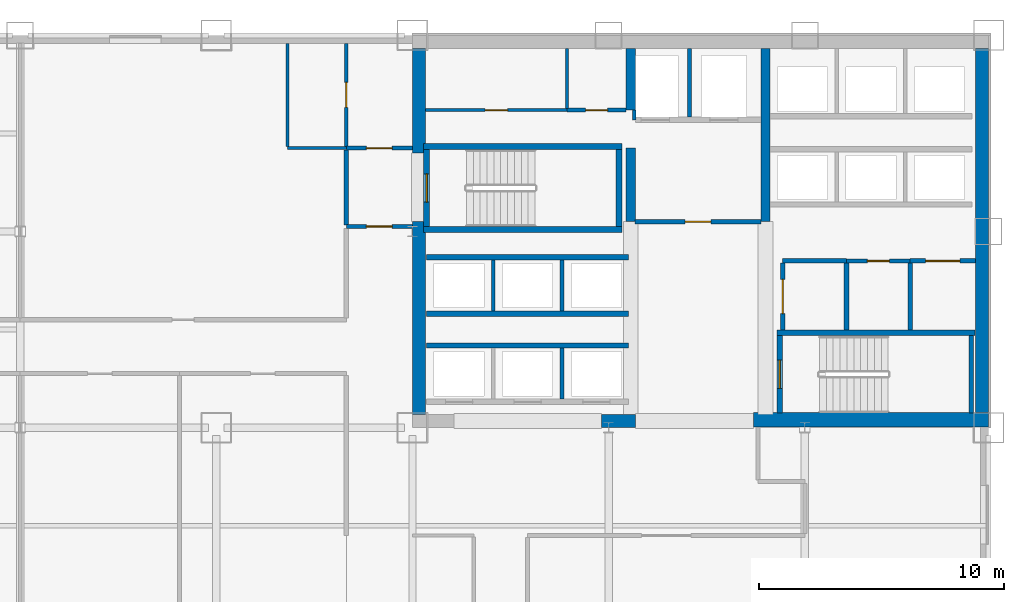
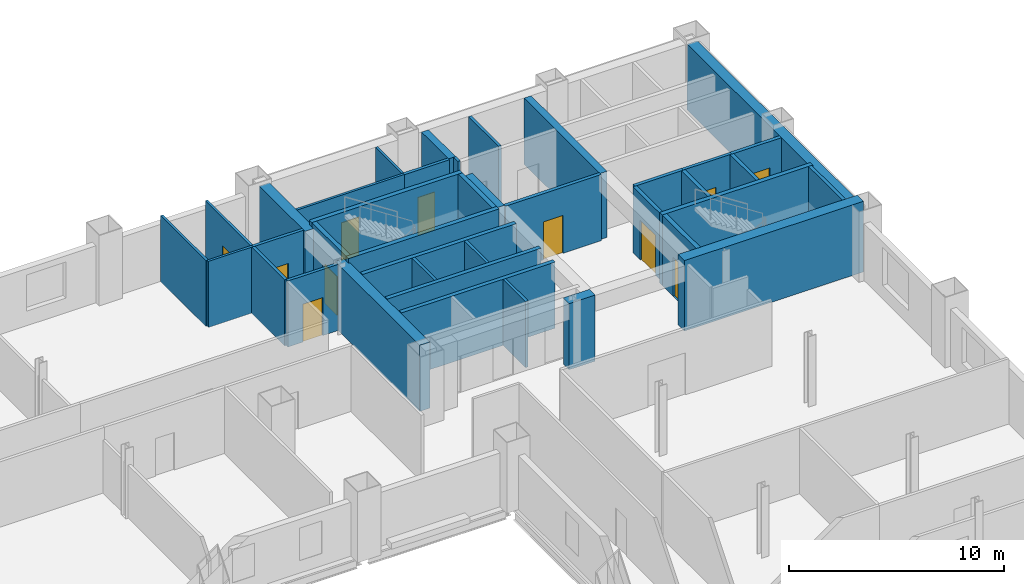
# One storey, part 6 of 9: 39 walls, 11 doors, 11 openings.
"""IFC4 building model written with IfcOpenShell, lengths in metres."""

import ifcopenshell
import ifcopenshell.guid

model = None  # the IFC model being written
_history = None  # IfcOwnerHistory: only IFC2X3 demands one
_inside = {}  # id of a spatial element -> (the spatial element, [elements in it])
_under = {}  # id of a project, library or spatial element -> (it, [spatial elements below it])
_declared = {}  # id of a project -> (the project, [libraries it declares])
_typed = {}  # id of a type object -> (the type object, [elements of that type])
_made_of = {}  # id of a material, layer set ... -> (it, [elements and type objects made of it])


def new_model(schema):
    """Start an empty IFC model of exactly this schema.

    Asked for "IFC4X3", IfcOpenShell would pick the latest addendum, in which some entities
    have other attributes; the version numbers below select the first issue.
    IFC2X3 requires an IfcOwnerHistory on every rooted entity: one is made here for all.
    """
    global model, _history
    if schema == "IFC4X3":
        model = ifcopenshell.file(schema_version=(4, 3, 0, 0))
    else:
        model = ifcopenshell.file(schema=schema)
    _inside.clear()
    _under.clear()
    _declared.clear()
    _typed.clear()
    _made_of.clear()
    _history = None
    if model.schema == "IFC2X3":
        org = make("IfcOrganization", Name="unknown")
        user = make(
            "IfcPersonAndOrganization",
            ThePerson=make("IfcPerson", FamilyName="unknown"),
            TheOrganization=org,
        )
        app = make(
            "IfcApplication",
            ApplicationDeveloper=org,
            Version="unknown",
            ApplicationFullName="unknown",
            ApplicationIdentifier="unknown",
        )
        _history = make(
            "IfcOwnerHistory",
            OwningUser=user,
            OwningApplication=app,
            ChangeAction="ADDED",
            CreationDate=0,
        )
    return model


def make(cls, **values):
    """One entity of the class cls with the attributes given. An attribute that is None is left unset."""
    return model.create_entity(
        cls, **{name: value for name, value in values.items() if value is not None}
    )


def rooted(cls, **values):
    """An entity with a GlobalId (a new one), such as an element, a storey or a relation."""
    return make(cls, GlobalId=ifcopenshell.guid.new(), OwnerHistory=_history, **values)


def si_unit(unit_type, name, prefix=None):
    """IfcSIUnit, for example si_unit("LENGTHUNIT", "METRE", prefix="MILLI")."""
    return make("IfcSIUnit", UnitType=unit_type, Prefix=prefix, Name=name)


def assignment(units):
    """IfcUnitAssignment: the units of a project."""
    return None if units is None else make("IfcUnitAssignment", Units=units)


def point(xyz):
    """IfcCartesianPoint."""
    return None if xyz is None else make("IfcCartesianPoint", Coordinates=xyz)


def direction(xyz):
    """IfcDirection."""
    return None if xyz is None else make("IfcDirection", DirectionRatios=xyz)


def frame(location, z_axis=None, x_axis=None):
    """IfcAxis2Placement3D, a coordinate frame: its origin and axes. An axis left out is left unset."""
    return make(
        "IfcAxis2Placement3D",
        Location=point(location),
        Axis=direction(z_axis),
        RefDirection=direction(x_axis),
    )


def frame_2d(location, x_axis=None):
    """IfcAxis2Placement2D, a coordinate frame in the plane: its origin and x axis."""
    return make(
        "IfcAxis2Placement2D", Location=point(location), RefDirection=direction(x_axis)
    )


def origin():
    """The frame at (0, 0, 0) with its axes left unset."""
    return frame((0.0, 0.0, 0.0))


def place(relative_to, where):
    """IfcLocalPlacement: puts the frame where relative to a parent placement (None: the world)."""
    return make(
        "IfcLocalPlacement", PlacementRelTo=relative_to, RelativePlacement=where
    )


def context(
    kind, dimensions, precision=None, world=None, true_north=None, identifier=None
):
    """IfcGeometricRepresentationContext, for example the 3D "Model" context."""
    return make(
        "IfcGeometricRepresentationContext",
        ContextIdentifier=identifier,
        ContextType=kind,
        CoordinateSpaceDimension=dimensions,
        Precision=precision,
        WorldCoordinateSystem=world,
        TrueNorth=true_north,
    )


def subcontext(parent, identifier, kind, view, scale=None):
    """IfcGeometricRepresentationSubContext, for example "Body" below "Model"."""
    return make(
        "IfcGeometricRepresentationSubContext",
        ContextIdentifier=identifier,
        ContextType=kind,
        ParentContext=parent,
        TargetScale=scale,
        TargetView=view,
    )


def project(units=None, contexts=None):
    """IfcProject with its units and contexts."""
    return rooted(
        "IfcProject",
        Name="project",
        RepresentationContexts=contexts,
        UnitsInContext=assignment(units),
    )


def spatial(cls, under=None, at=None, **own):
    """A site, building, storey or space (cls), placed at a placement, below another one or the project."""
    s = rooted(cls, ObjectPlacement=at, **own)
    if under is not None:
        _under.setdefault(under.id(), (under, []))[1].append(s)
    return s


def profile(cls, at=None, kind="AREA", **sizes):
    """A parametric profile (cls). Its sizes go by their IFC names, for example OverallWidth=200.0."""
    return make(cls, ProfileType=kind, Position=at, **sizes)


def rectangle(**sizes):
    """IfcRectangleProfileDef."""
    return profile("IfcRectangleProfileDef", **sizes)


def extrude(swept, where, along, depth):
    """IfcExtrudedAreaSolid: the profile swept, set in the frame where, extruded along a direction by depth."""
    return make(
        "IfcExtrudedAreaSolid",
        SweptArea=swept,
        Position=where,
        ExtrudedDirection=direction(along),
        Depth=depth,
    )


def shape(context_of_items, identifier, shape_type, items):
    """IfcShapeRepresentation: the items that make up one representation, for example the "Body"."""
    return make(
        "IfcShapeRepresentation",
        ContextOfItems=context_of_items,
        RepresentationIdentifier=identifier,
        RepresentationType=shape_type,
        Items=items,
    )


def material(Name=None, Category=None):
    """IfcMaterial."""
    return make("IfcMaterial", Name=Name, Category=Category)


def layer(
    of_material, thickness, ventilated=None, Name=None, Category=None, Priority=None
):
    """IfcMaterialLayer: one layer of a wall or slab, of a material (None: an air gap)."""
    return make(
        "IfcMaterialLayer",
        Material=of_material,
        LayerThickness=thickness,
        IsVentilated=ventilated,
        Name=Name,
        Category=Category,
        Priority=Priority,
    )


def layer_set(layers, Name=None):
    """IfcMaterialLayerSet."""
    return make("IfcMaterialLayerSet", MaterialLayers=layers, LayerSetName=Name)


def made_of(thing, what):
    """Note that an element or type object is made of a material, layer set ...; save() writes the relation."""
    if what is not None:
        _made_of.setdefault(what.id(), (what, []))[1].append(thing)
    return thing


def type_object(cls, material=None, **own):
    """A type object (cls), such as IfcWallType, which elements share."""
    return made_of(rooted(cls, **own), material)


def element(
    cls,
    number,
    at=None,
    inside=None,
    cuts=None,
    type_object=None,
    material=None,
    context=None,
    identifier="Body",
    shape_type=None,
    held_by="IfcProductDefinitionShape",
    body=None,
    shapes=None,
    **own,
):
    """One element of the class cls, such as IfcWall. Its Tag is "e" and its number.

    at: its placement. inside: the storey or other place that contains it. cuts: it is an
    opening in that element (IfcRelVoidsElement). A single representation is given by context,
    identifier, shape_type and body (its items); several are given by shapes. held_by: the class
    of the entity that holds the representations. save() writes the other relations.
    """
    e = rooted(cls, Tag="e%d" % number, ObjectPlacement=at, **own)
    if body is not None:
        shapes = [shape(context, identifier, shape_type, body)]
    if shapes is not None:
        e.Representation = make(held_by, Representations=shapes)
    if inside is not None:
        _inside.setdefault(inside.id(), (inside, []))[1].append(e)
    if cuts is not None:
        rooted(
            "IfcRelVoidsElement", RelatingBuildingElement=cuts, RelatedOpeningElement=e
        )
    if type_object is not None:
        _typed.setdefault(type_object.id(), (type_object, []))[1].append(e)
    return made_of(e, material)


def fill(opening, filler):
    """IfcRelFillsElement: the door or window that sits in an opening."""
    return rooted(
        "IfcRelFillsElement",
        RelatingOpeningElement=opening,
        RelatedBuildingElement=filler,
    )


def aggregate(whole, parts):
    """IfcRelAggregates: a whole, such as a stair, and the parts it consists of."""
    return rooted("IfcRelAggregates", RelatingObject=whole, RelatedObjects=parts)


def save(model, path):
    """Write the relations noted so far, then the file.

    IfcRelAggregates (storeys below a building ...), IfcRelContainedInSpatialStructure (elements
    in a storey), IfcRelDefinesByType, IfcRelAssociatesMaterial and IfcRelDeclares: one each for
    every whole, place, type object, material and project.
    """
    for whole, parts in _under.values():
        aggregate(whole, parts)
    for where, things in _inside.values():
        rooted(
            "IfcRelContainedInSpatialStructure",
            RelatedElements=things,
            RelatingStructure=where,
        )
    for kind, things in _typed.values():
        rooted("IfcRelDefinesByType", RelatedObjects=things, RelatingType=kind)
    for what, things in _made_of.values():
        rooted("IfcRelAssociatesMaterial", RelatedObjects=things, RelatingMaterial=what)
    for by, libraries in _declared.values():
        rooted("IfcRelDeclares", RelatingContext=by, RelatedDefinitions=libraries)
    model.write(path)


model = new_model("IFC4")

# Units and contexts
model_context = context("Model", 3, precision=1e-05, world=origin(), true_north=direction((0.0, 1.0)))
body_context = subcontext(model_context, "Body", "Model", "MODEL_VIEW")
ifc_project = project(units=[si_unit("LENGTHUNIT", "METRE"), si_unit("AREAUNIT", "SQUARE_METRE"), si_unit("VOLUMEUNIT", "CUBIC_METRE"), si_unit("PLANEANGLEUNIT", "RADIAN"), si_unit("MASSUNIT", "GRAM", prefix="KILO")], contexts=[model_context])

# Site, building, storey
site_placement = place(None, origin())
site = spatial("IfcSite", under=ifc_project, at=site_placement, CompositionType="ELEMENT")
building_placement = place(site_placement, origin())
building = spatial("IfcBuilding", under=site, at=building_placement, Name="Qianrong Seaharbour Tower", CompositionType="ELEMENT")
storey_placement = place(building_placement, frame((0.0, 0.0, 60.199951171875)))
storey = spatial("IfcBuildingStorey", under=building, at=storey_placement, Name="L14", CompositionType="ELEMENT", Elevation=60.199951171875)

# Walls
ifc_material_1 = material(Name="Concrete C70/85", Category="concrete")
ifc_layer_1 = layer(ifc_material_1, 0.5400390625)
ifc_layer_set_1 = layer_set([ifc_layer_1], Name="Concrete C70/85")
wall_type_1 = type_object("IfcWallType", Name="WALL-CORE-540", PredefinedType="SHEAR", material=ifc_layer_set_1)
wall_1_placement = place(storey_placement, frame((63.72998046875, 36.320068359375, 0.0), z_axis=(0.0, 0.0, 1.0), x_axis=(0.0, 1.0, 0.0)))
element("IfcWall", 1, at=wall_1_placement, inside=storey, type_object=wall_type_1, Name="L14 East Core Shear Wall", PredefinedType="SHEAR", context=body_context, shape_type="SweptSolid", body=[
    extrude(rectangle(XDim=15.139892578125, YDim=0.5400390625, at=frame_2d((7.56982421875, 0.0))), origin(), (0.0, 0.0, 1.0), 3.75),
])
wall_2_placement = place(storey_placement, frame((40.77001953125, 36.5400390625, 0.0), z_axis=(0.0, 0.0, 1.0), x_axis=(0.0, 1.0, 0.0)))
element("IfcWall", 2, at=wall_2_placement, inside=storey, type_object=wall_type_1, Name="L14 West Core Shear Wall South", PredefinedType="SHEAR", context=body_context, shape_type="SweptSolid", body=[
    extrude(rectangle(XDim=7.85986328125, YDim=0.5400390625, at=frame_2d((3.929931640625, 0.0))), origin(), (0.0, 0.0, 1.0), 3.75),
])
wall_3_placement = place(storey_placement, frame((40.77001953125, 47.199951171875, 0.0), z_axis=(0.0, 0.0, 1.0), x_axis=(0.0, 1.0, 0.0)))
element("IfcWall", 3, at=wall_3_placement, inside=storey, type_object=wall_type_1, Name="L14 West Core Shear Wall North", PredefinedType="SHEAR", context=body_context, shape_type="SweptSolid", body=[
    extrude(rectangle(XDim=4.260009765625, YDim=0.5400390625, at=frame_2d((2.1298828125, 0.0))), origin(), (0.0, 0.0, 1.0), 3.75),
])
wall_4_placement = place(storey_placement, frame((48.199951171875, 36.27001953125, 0.0), z_axis=(0.0, 0.0, 1.0), x_axis=(1.0, 0.0, 0.0)))
element("IfcWall", 4, at=wall_4_placement, inside=storey, type_object=wall_type_1, Name="L14 South Core Shear Wall S2", PredefinedType="SHEAR", context=body_context, shape_type="SweptSolid", body=[
    extrude(rectangle(XDim=1.400146484375, YDim=0.5400390625, at=frame_2d((0.7001953125, 0.0))), origin(), (0.0, 0.0, 1.0), 3.75),
])
ifc_layer_2 = layer(ifc_material_1, 0.580078125)
ifc_layer_set_2 = layer_set([ifc_layer_2], Name="Concrete C70/85")
wall_type_2 = type_object("IfcWallType", Name="WALL-CORE-580", PredefinedType="SHEAR", material=ifc_layer_set_2)
wall_5_placement = place(storey_placement, frame((54.39990234375, 36.320068359375, 0.0), z_axis=(0.0, 0.0, 1.0), x_axis=(1.0, 0.0, 0.0)))
element("IfcWall", 5, at=wall_5_placement, inside=storey, type_object=wall_type_2, Name="L14 South Core Shear Wall S3", PredefinedType="SHEAR", context=body_context, shape_type="SweptSolid", body=[
    extrude(rectangle(XDim=9.60009765625, YDim=0.580078125, at=frame_2d((4.800048828125, 0.0))), origin(), (0.0, 0.0, 1.0), 4.0),
])
ifc_material_2 = material(Name="Concrete C60/75", Category="concrete")
ifc_layer_3 = layer(ifc_material_2, 0.3798828125)
ifc_layer_set_3 = layer_set([ifc_layer_3], Name="Concrete C60/75")
wall_type_3 = type_object("IfcWallType", Name="WALL-CORE-INT-380", PredefinedType="SHEAR", material=ifc_layer_set_3)
wall_6_placement = place(storey_placement, frame((49.39990234375, 44.39990234375, 0.0), z_axis=(0.0, 0.0, 1.0), x_axis=(0.0, 1.0, 0.0)))
element("IfcWall", 6, at=wall_6_placement, inside=storey, type_object=wall_type_3, Name="L14 Internal Core Shear Wall IW1N1", PredefinedType="SHEAR", context=body_context, shape_type="SweptSolid", body=[
    extrude(rectangle(XDim=3.0, YDim=0.3798828125, at=frame_2d((1.5, 0.0))), origin(), (0.0, 0.0, 1.0), 3.75),
])
wall_7_placement = place(storey_placement, frame((49.39990234375, 48.949951171875, 0.0), z_axis=(0.0, 0.0, 1.0), x_axis=(0.0, 1.0, 0.0)))
element("IfcWall", 7, at=wall_7_placement, inside=storey, type_object=wall_type_3, Name="L14 Internal Core Shear Wall IW1N2", PredefinedType="SHEAR", context=body_context, shape_type="SweptSolid", body=[
    extrude(rectangle(XDim=2.510009765625, YDim=0.3798828125, at=frame_2d((1.2548828125, 0.0))), origin(), (0.0, 0.0, 1.0), 3.75),
])
wall_8_placement = place(storey_placement, frame((54.89990234375, 44.39990234375, 0.0), z_axis=(0.0, 0.0, 1.0), x_axis=(0.0, 1.0, 0.0)))
element("IfcWall", 8, at=wall_8_placement, inside=storey, type_object=wall_type_3, Name="L14 Internal Core Shear Wall IW2N", PredefinedType="SHEAR", context=body_context, shape_type="SweptSolid", body=[
    extrude(rectangle(XDim=7.06005859375, YDim=0.3798828125, at=frame_2d((3.530029296875, 0.0))), origin(), (0.0, 0.0, 1.0), 3.75),
])

# Wall, opening, door
ifc_material_3 = material(Name="Fire-rated acoustic gypsum board partition")
ifc_layer_4 = layer(ifc_material_3, 0.1650390625)
ifc_layer_set_4 = layer_set([ifc_layer_4], Name="Fire-rated acoustic gypsum board partition")
wall_type_4 = type_object("IfcWallType", Name="WALL-CORR-PART-165", PredefinedType="PARTITIONING", material=ifc_layer_set_4)
wall_9_placement = place(storey_placement, frame((37.800048828125, 47.39990234375, 0.0), z_axis=(0.0, 0.0, 1.0), x_axis=(1.0, 0.0, 0.0)))
wall_9 = element("IfcWall", 9, at=wall_9_placement, inside=storey, type_object=wall_type_4, Name="L14 Interior Partition Wall 001", PredefinedType="PARTITIONING", context=body_context, shape_type="SweptSolid", body=[
    extrude(rectangle(XDim=2.699951171875, YDim=0.1650390625, at=frame_2d((1.35009765625, 0.0))), origin(), (0.0, 0.0, 1.0), 3.75),
])
opening_1_placement = place(wall_9_placement, frame((0.824951171875, 0.0, 0.0)))
opening_1 = element("IfcOpeningElement", 10, at=opening_1_placement, cuts=wall_9, Name="Opening DC-01", PredefinedType="OPENING", context=body_context, shape_type="SweptSolid", body=[
    extrude(rectangle(XDim=1.050048828125, YDim=2.14990234375, at=frame_2d((0.52490234375, 1.074951171875))), frame((0.0, 0.092529296875, 0.0), z_axis=(0.0, -1.0, 0.0), x_axis=(1.0, 0.0, 0.0)), (0.0, 0.0, 1.0), 0.18505859375),
])
ifc_material_4 = material(Name="Acoustic timber and galvanized steel fire door assembly", Category="steel")
door_type_1 = type_object("IfcDoorType", Name="DOOR-CORR-FD60-1050x2150", OperationType="NOTDEFINED", PredefinedType="DOOR", material=ifc_material_4)
door_1_placement = place(opening_1_placement, origin())
door_1 = element("IfcDoor", 11, at=door_1_placement, inside=storey, type_object=door_type_1, Name="L14 Smokeproof Stair Vestibule ST-1 Door", OperationType="SINGLE_SWING_RIGHT", OverallHeight=2.14990234375, OverallWidth=1.050048828125, PredefinedType="DOOR", context=body_context, shape_type="SweptSolid", body=[
    extrude(rectangle(XDim=1.050048828125, YDim=2.14990234375, at=frame_2d((0.52490234375, 1.074951171875))), frame((0.0, 0.02490234375, 0.0), z_axis=(0.0, -1.0, 0.0), x_axis=(1.0, 0.0, 0.0)), (0.0, 0.0, 1.0), 0.050048828125),
])
fill(opening_1, door_1)

wall_10_placement = place(storey_placement, frame((40.5, 44.199951171875, 0.0), z_axis=(0.0, 0.0, 1.0), x_axis=(-1.0, 0.0, 0.0)))
wall_10 = element("IfcWall", 12, at=wall_10_placement, inside=storey, type_object=wall_type_4, Name="L14 Interior Partition Wall 002", PredefinedType="PARTITIONING", context=body_context, shape_type="SweptSolid", body=[
    extrude(rectangle(XDim=2.699951171875, YDim=0.1650390625, at=frame_2d((1.35009765625, 0.0))), origin(), (0.0, 0.0, 1.0), 3.75),
])
opening_2_placement = place(wall_10_placement, frame((0.824951171875, 0.0, 0.0)))
opening_2 = element("IfcOpeningElement", 13, at=opening_2_placement, cuts=wall_10, Name="Opening DC-01", PredefinedType="OPENING", context=body_context, shape_type="SweptSolid", body=[
    extrude(rectangle(XDim=1.050048828125, YDim=2.14990234375, at=frame_2d((0.52490234375, 1.074951171875))), frame((0.0, 0.092529296875, 0.0), z_axis=(0.0, -1.0, 0.0), x_axis=(1.0, 0.0, 0.0)), (0.0, 0.0, 1.0), 0.18505859375),
])
door_2_placement = place(opening_2_placement, origin())
door_2 = element("IfcDoor", 14, at=door_2_placement, inside=storey, type_object=door_type_1, Name="L14 Smokeproof Stair Vestibule ST-1 Door", OperationType="SINGLE_SWING_LEFT", OverallHeight=2.14990234375, OverallWidth=1.050048828125, PredefinedType="DOOR", context=body_context, shape_type="SweptSolid", body=[
    extrude(rectangle(XDim=1.050048828125, YDim=2.14990234375, at=frame_2d((0.52490234375, 1.074951171875))), frame((0.0, 0.02490234375, 0.0), z_axis=(0.0, -1.0, 0.0), x_axis=(1.0, 0.0, 0.0)), (0.0, 0.0, 1.0), 0.050048828125),
])
fill(opening_2, door_2)

# Wall
wall_11_placement = place(storey_placement, frame((37.800048828125, 44.2744140625, 0.0), z_axis=(0.0, 0.0, 1.0), x_axis=(0.0, 1.0, 0.0)))
element("IfcWall", 15, at=wall_11_placement, inside=storey, type_object=wall_type_4, Name="L14 Interior Partition Wall 003", PredefinedType="PARTITIONING", context=body_context, shape_type="SweptSolid", body=[
    extrude(rectangle(XDim=3.051025390625, YDim=0.1650390625, at=frame_2d((1.525390625, 0.0))), origin(), (0.0, 0.0, 1.0), 3.75),
])

# Wall, opening, door
wall_12_placement = place(storey_placement, frame((46.800048828125, 48.949951171875, 0.0), z_axis=(0.0, 0.0, 1.0), x_axis=(1.0, 0.0, 0.0)))
wall_12 = element("IfcWall", 16, at=wall_12_placement, inside=storey, type_object=wall_type_4, Name="L14 Interior Partition Wall 008", PredefinedType="PARTITIONING", context=body_context, shape_type="SweptSolid", body=[
    extrude(rectangle(XDim=2.41796875, YDim=0.1650390625, at=frame_2d((1.208984375, 0.0))), origin(), (0.0, 0.0, 1.0), 3.75),
])
opening_3_placement = place(wall_12_placement, frame((0.759033203125, 0.0, 0.0)))
opening_3 = element("IfcOpeningElement", 17, at=opening_3_placement, cuts=wall_12, Name="Opening DS-01", PredefinedType="OPENING", context=body_context, shape_type="SweptSolid", body=[
    extrude(rectangle(XDim=0.89990234375, YDim=2.14990234375, at=frame_2d((0.449951171875, 1.074951171875))), frame((0.0, 0.092529296875, 0.0), z_axis=(0.0, -1.0, 0.0), x_axis=(1.0, 0.0, 0.0)), (0.0, 0.0, 1.0), 0.18505859375),
])
door_type_2 = type_object("IfcDoorType", Name="DOOR-STORE-900x2150", OperationType="NOTDEFINED", PredefinedType="DOOR", material=ifc_material_4)
door_3_placement = place(opening_3_placement, origin())
door_3 = element("IfcDoor", 18, at=door_3_placement, inside=storey, type_object=door_type_2, Name="L14 Janitor Store Room Door", OperationType="SINGLE_SWING_LEFT", OverallHeight=2.14990234375, OverallWidth=0.89990234375, PredefinedType="DOOR", context=body_context, shape_type="SweptSolid", body=[
    extrude(rectangle(XDim=0.89990234375, YDim=2.14990234375, at=frame_2d((0.449951171875, 1.074951171875))), frame((0.0, 0.02490234375, 0.0), z_axis=(0.0, -1.0, 0.0), x_axis=(1.0, 0.0, 0.0)), (0.0, 0.0, 1.0), 0.050048828125),
])
fill(opening_3, door_3)

wall_13_placement = place(storey_placement, frame((60.800048828125, 42.800048828125, 0.0), z_axis=(0.0, 0.0, 1.0), x_axis=(-1.0, 0.0, 0.0)))
wall_13 = element("IfcWall", 19, at=wall_13_placement, inside=storey, type_object=wall_type_4, Name="L14 Interior Partition Wall 012", PredefinedType="PARTITIONING", context=body_context, shape_type="SweptSolid", body=[
    extrude(rectangle(XDim=2.60009765625, YDim=0.1650390625, at=frame_2d((1.300048828125, 0.0))), origin(), (0.0, 0.0, 1.0), 3.75),
])
opening_4_placement = place(wall_13_placement, frame((0.85009765625, 0.0, 0.0)))
opening_4 = element("IfcOpeningElement", 20, at=opening_4_placement, cuts=wall_13, Name="Opening DS-01", PredefinedType="OPENING", context=body_context, shape_type="SweptSolid", body=[
    extrude(rectangle(XDim=0.89990234375, YDim=2.14990234375, at=frame_2d((0.449951171875, 1.074951171875))), frame((0.0, 0.092529296875, 0.0), z_axis=(0.0, -1.0, 0.0), x_axis=(1.0, 0.0, 0.0)), (0.0, 0.0, 1.0), 0.18505859375),
])
door_4_placement = place(opening_4_placement, origin())
door_4 = element("IfcDoor", 21, at=door_4_placement, inside=storey, type_object=door_type_2, Name="L14 Supply Store Room Door", OperationType="SINGLE_SWING_RIGHT", OverallHeight=2.14990234375, OverallWidth=0.89990234375, PredefinedType="DOOR", context=body_context, shape_type="SweptSolid", body=[
    extrude(rectangle(XDim=0.89990234375, YDim=2.14990234375, at=frame_2d((0.449951171875, 1.074951171875))), frame((0.0, 0.02490234375, 0.0), z_axis=(0.0, -1.0, 0.0), x_axis=(1.0, 0.0, 0.0)), (0.0, 0.0, 1.0), 0.050048828125),
])
fill(opening_4, door_4)

ifc_material_5 = material(Name="Double fire-rated gypsum board acoustic partition")
ifc_layer_5 = layer(ifc_material_5, 0.18994140625)
ifc_layer_set_5 = layer_set([ifc_layer_5], Name="Double fire-rated gypsum board acoustic partition")
wall_type_5 = type_object("IfcWallType", Name="WALL-FIRE-PART-190", PredefinedType="PARTITIONING", material=ifc_layer_set_5)
wall_14_placement = place(storey_placement, frame((54.718017578125, 44.39990234375, 0.0), z_axis=(0.0, 0.0, 1.0), x_axis=(-1.0, 0.0, 0.0)))
wall_14 = element("IfcWall", 22, at=wall_14_placement, inside=storey, type_object=wall_type_5, Name="L14 Interior Partition Wall 009", PredefinedType="PARTITIONING", context=body_context, shape_type="SweptSolid", body=[
    extrude(rectangle(XDim=5.135986328125, YDim=0.18994140625, at=frame_2d((2.56787109375, 0.0))), origin(), (0.0, 0.0, 1.0), 3.75),
])
opening_5_placement = place(wall_14_placement, frame((2.04296875, 0.0, 0.0)))
opening_5 = element("IfcOpeningElement", 23, at=opening_5_placement, cuts=wall_14, Name="Opening DC-01", PredefinedType="OPENING", context=body_context, shape_type="SweptSolid", body=[
    extrude(rectangle(XDim=1.050048828125, YDim=2.14990234375, at=frame_2d((0.52490234375, 1.074951171875))), frame((0.0, 0.10498046875, 0.0), z_axis=(0.0, -1.0, 0.0), x_axis=(1.0, 0.0, 0.0)), (0.0, 0.0, 1.0), 0.2099609375),
])
door_5_placement = place(opening_5_placement, origin())
door_5 = element("IfcDoor", 24, at=door_5_placement, inside=storey, type_object=door_type_1, Name="L14 Firefighting Lift Lobby Door", OperationType="SINGLE_SWING_LEFT", OverallHeight=2.14990234375, OverallWidth=1.050048828125, PredefinedType="DOOR", context=body_context, shape_type="SweptSolid", body=[
    extrude(rectangle(XDim=1.050048828125, YDim=2.14990234375, at=frame_2d((0.52490234375, 1.074951171875))), frame((0.0, 0.02490234375, 0.0), z_axis=(0.0, -1.0, 0.0), x_axis=(1.0, 0.0, 0.0)), (0.0, 0.0, 1.0), 0.050048828125),
])
fill(opening_5, door_5)

wall_15_placement = place(storey_placement, frame((55.60009765625, 42.712890625, 0.0), z_axis=(0.0, 0.0, 1.0), x_axis=(0.0, -1.0, 0.0)))
wall_15 = element("IfcWall", 25, at=wall_15_placement, inside=storey, type_object=wall_type_5, Name="L14 Interior Partition Wall 010", PredefinedType="PARTITIONING", context=body_context, shape_type="SweptSolid", body=[
    extrude(rectangle(XDim=2.73095703125, YDim=0.18994140625, at=frame_2d((1.365478515625, 0.0))), origin(), (0.0, 0.0, 1.0), 3.75),
])
opening_6_placement = place(wall_15_placement, frame((0.66552734375, 0.0, 0.0)))
opening_6 = element("IfcOpeningElement", 26, at=opening_6_placement, cuts=wall_15, Name="Opening DP-01", PredefinedType="OPENING", context=body_context, shape_type="SweptSolid", body=[
    extrude(rectangle(XDim=1.39990234375, YDim=2.25, at=frame_2d((0.699951171875, 1.125))), frame((0.0, 0.10498046875, 0.0), z_axis=(0.0, -1.0, 0.0), x_axis=(1.0, 0.0, 0.0)), (0.0, 0.0, 1.0), 0.2099609375),
])
door_type_3 = type_object("IfcDoorType", Name="DOOR-PLANT-PAIR-1400x2250", OperationType="DOUBLE_DOOR_SINGLE_SWING", PredefinedType="DOOR", material=ifc_material_4)
door_6_placement = place(opening_6_placement, origin())
door_6 = element("IfcDoor", 27, at=door_6_placement, inside=storey, type_object=door_type_3, Name="L14 Core Telecom Room Door", OperationType="DOUBLE_DOOR_SINGLE_SWING", OverallHeight=2.25, OverallWidth=1.39990234375, PredefinedType="DOOR", context=body_context, shape_type="SweptSolid", body=[
    extrude(rectangle(XDim=1.39990234375, YDim=2.25, at=frame_2d((0.699951171875, 1.125))), frame((0.0, 0.02490234375, 0.0), z_axis=(0.0, -1.0, 0.0), x_axis=(1.0, 0.0, 0.0)), (0.0, 0.0, 1.0), 0.050048828125),
])
fill(opening_6, door_6)

# Wall
wall_16_placement = place(storey_placement, frame((58.199951171875, 42.800048828125, 0.0), z_axis=(0.0, 0.0, 1.0), x_axis=(-1.0, 0.0, 0.0)))
element("IfcWall", 28, at=wall_16_placement, inside=storey, type_object=wall_type_5, Name="L14 Interior Partition Wall 011", PredefinedType="PARTITIONING", context=body_context, shape_type="SweptSolid", body=[
    extrude(rectangle(XDim=2.599853515625, YDim=0.18994140625, at=frame_2d((1.2998046875, 0.0))), origin(), (0.0, 0.0, 1.0), 3.75),
])

# Wall, opening, door
wall_17_placement = place(storey_placement, frame((63.4599609375, 42.800048828125, 0.0), z_axis=(0.0, 0.0, 1.0), x_axis=(-1.0, 0.0, 0.0)))
wall_17 = element("IfcWall", 29, at=wall_17_placement, inside=storey, type_object=wall_type_5, Name="L14 Interior Partition Wall 013", PredefinedType="PARTITIONING", context=body_context, shape_type="SweptSolid", body=[
    extrude(rectangle(XDim=2.659912109375, YDim=0.18994140625, at=frame_2d((1.330078125, 0.0))), origin(), (0.0, 0.0, 1.0), 3.75),
])
opening_7_placement = place(wall_17_placement, frame((0.6298828125, 0.0, 0.0)))
opening_7 = element("IfcOpeningElement", 30, at=opening_7_placement, cuts=wall_17, Name="Opening DP-01", PredefinedType="OPENING", context=body_context, shape_type="SweptSolid", body=[
    extrude(rectangle(XDim=1.39990234375, YDim=2.25, at=frame_2d((0.699951171875, 1.125))), frame((0.0, 0.10498046875, 0.0), z_axis=(0.0, -1.0, 0.0), x_axis=(1.0, 0.0, 0.0)), (0.0, 0.0, 1.0), 0.2099609375),
])
door_7_placement = place(opening_7_placement, origin())
door_7 = element("IfcDoor", 31, at=door_7_placement, inside=storey, type_object=door_type_3, Name="L14 Building Metering Room Door", OperationType="DOUBLE_DOOR_SINGLE_SWING", OverallHeight=2.25, OverallWidth=1.39990234375, PredefinedType="DOOR", context=body_context, shape_type="SweptSolid", body=[
    extrude(rectangle(XDim=1.39990234375, YDim=2.25, at=frame_2d((0.699951171875, 1.125))), frame((0.0, 0.02490234375, 0.0), z_axis=(0.0, -1.0, 0.0), x_axis=(1.0, 0.0, 0.0)), (0.0, 0.0, 1.0), 0.050048828125),
])
fill(opening_7, door_7)

# Walls
for number, where, z_axis, x_axis, name in (
    (32, (58.199951171875, 42.712890625, 0.0), (0.0, 0.0, 1.0), (0.0, -1.0, 0.0), "L14 Interior Partition Wall 015"),
    (33, (60.800048828125, 42.712890625, 0.0), (0.0, 0.0, 1.0), (0.0, -1.0, 0.0), "L14 Interior Partition Wall 016"),
):
    element("IfcWall", number, at=place(storey_placement, frame(where, z_axis=z_axis, x_axis=x_axis)), inside=storey, type_object=wall_type_5, Name=name, PredefinedType="PARTITIONING", context=body_context, shape_type="SweptSolid", body=[
        extrude(rectangle(XDim=2.73095703125, YDim=0.18994140625, at=frame_2d((1.365478515625, 0.0))), origin(), (0.0, 0.0, 1.0), 3.75),
    ])
ifc_material_6 = material(Name="Fire-rated gypsum board on steel studs", Category="steel")
ifc_layer_6 = layer(ifc_material_6, 0.14990234375)
ifc_layer_set_6 = layer_set([ifc_layer_6], Name="Fire-rated gypsum board on steel studs")
wall_type_6 = type_object("IfcWallType", Name="WALL-SHAFT-DIV-150", PredefinedType="PARTITIONING", material=ifc_layer_set_6)
wall_18_placement = place(storey_placement, frame((51.800048828125, 48.669921875, 0.0), z_axis=(0.0, 0.0, 1.0), x_axis=(0.0, 1.0, 0.0)))
element("IfcWall", 34, at=wall_18_placement, inside=storey, type_object=wall_type_6, Name="L14 Firefighting Lift Shaft Divider Wall", PredefinedType="PARTITIONING", context=body_context, shape_type="SweptSolid", body=[
    extrude(rectangle(XDim=2.7900390625, YDim=0.14990234375, at=frame_2d((1.39501953125, 0.0))), origin(), (0.0, 0.0, 1.0), 3.75),
])
wall_19_placement = place(storey_placement, frame((49.550048828125, 48.550048828125, 0.0), z_axis=(0.0, 0.0, 1.0), x_axis=(0.0, 1.0, 0.0)))
element("IfcWall", 35, at=wall_19_placement, inside=storey, type_object=wall_type_6, Name="L14 Firefighting Lift Shaft West Return Wall", PredefinedType="PARTITIONING", context=body_context, shape_type="SweptSolid", body=[
    extrude(rectangle(XDim=0.39990234375, YDim=0.14990234375, at=frame_2d((0.199951171875, 0.0))), origin(), (0.0, 0.0, 1.0), 3.75),
])
for number, where, z_axis, x_axis, name in (
    (36, (46.60009765625, 37.159912109375, 0.0), (0.0, 0.0, 1.0), (0.0, 1.0, 0.0), "L14 P1 Lift Hoistway Divider 3"),
    (37, (43.800048828125, 40.760009765625, 0.0), (0.0, 0.0, 1.0), (0.0, 1.0, 0.0), "L14 P2 Lift Hoistway Divider 2"),
    (38, (46.60009765625, 40.760009765625, 0.0), (0.0, 0.0, 1.0), (0.0, 1.0, 0.0), "L14 P2 Lift Hoistway Divider 3"),
):
    element("IfcWall", number, at=place(storey_placement, frame(where, z_axis=z_axis, x_axis=x_axis)), inside=storey, type_object=wall_type_6, Name=name, PredefinedType="PARTITIONING", context=body_context, shape_type="SweptSolid", body=[
        extrude(rectangle(XDim=2.080078125, YDim=0.14990234375, at=frame_2d((1.0400390625, 0.0))), origin(), (0.0, 0.0, 1.0), 3.75),
    ])
ifc_layer_7 = layer(ifc_material_6, 0.219970703125)
ifc_layer_set_7 = layer_set([ifc_layer_7], Name="Fire-rated gypsum board on steel studs")
wall_type_7 = type_object("IfcWallType", Name="WALL-SHAFT-GYP220", PredefinedType="PARTITIONING", material=ifc_layer_set_7)
for number, where, z_axis, x_axis, name in (
    (39, (41.080078125, 39.35009765625, 0.0), (0.0, 0.0, 1.0), (1.0, 0.0, 0.0), "L14 P1 Lift Hoistway Back Wall"),
    (40, (49.320068359375, 40.64990234375, 0.0), (0.0, 0.0, 1.0), (-1.0, 0.0, 0.0), "L14 P2 Lift Hoistway Front Wall"),
    (41, (41.080078125, 42.949951171875, 0.0), (0.0, 0.0, 1.0), (1.0, 0.0, 0.0), "L14 P2 Lift Hoistway Back Wall"),
):
    element("IfcWall", number, at=place(storey_placement, frame(where, z_axis=z_axis, x_axis=x_axis)), inside=storey, type_object=wall_type_7, Name=name, PredefinedType="PARTITIONING", context=body_context, shape_type="SweptSolid", body=[
        extrude(rectangle(XDim=8.239990234375, YDim=0.219970703125, at=frame_2d((4.1201171875, 0.0))), origin(), (0.0, 0.0, 1.0), 3.75),
    ])
ifc_material_7 = material(Name="Concrete C50/60", Category="concrete")
ifc_layer_8 = layer(ifc_material_7, 0.239990234375)
ifc_layer_set_8 = layer_set([ifc_layer_8], Name="Concrete C50/60")
wall_type_8 = type_object("IfcWallType", Name="WALL-SHAFT-RC240", PredefinedType="SOLIDWALL", material=ifc_layer_set_8)
for number, where, z_axis, x_axis, name in (
    (42, (40.9599609375, 47.469970703125, 0.0), (0.0, 0.0, 1.0), (1.0, 0.0, 0.0), "L14 ST-1 Structural Stair Core Wall N"),
    (43, (49.0400390625, 44.080078125, 0.0), (0.0, 0.0, 1.0), (-1.0, 0.0, 0.0), "L14 ST-1 Structural Stair Core Wall S"),
):
    element("IfcWall", number, at=place(storey_placement, frame(where, z_axis=z_axis, x_axis=x_axis)), inside=storey, type_object=wall_type_8, Name=name, PredefinedType="SOLIDWALL", context=body_context, shape_type="SweptSolid", body=[
        extrude(rectangle(XDim=8.080078125, YDim=0.239990234375, at=frame_2d((4.0400390625, 0.0))), origin(), (0.0, 0.0, 1.0), 4.0),
    ])

# Wall, opening, door
wall_20_placement = place(storey_placement, frame((41.080078125, 47.35009765625, 0.0), z_axis=(0.0, 0.0, 1.0), x_axis=(0.0, -1.0, 0.0)))
wall_20 = element("IfcWall", 44, at=wall_20_placement, inside=storey, type_object=wall_type_8, Name="L14 ST-1 Structural Stair Core Wall W", PredefinedType="SOLIDWALL", context=body_context, shape_type="SweptSolid", body=[
    extrude(rectangle(XDim=3.150146484375, YDim=0.239990234375, at=frame_2d((1.5751953125, 0.0))), origin(), (0.0, 0.0, 1.0), 4.0),
])
opening_8_placement = place(wall_20_placement, frame((1.0, 0.0, 0.0)))
opening_8 = element("IfcOpeningElement", 45, at=opening_8_placement, cuts=wall_20, Name="Opening SD-01", PredefinedType="OPENING", context=body_context, shape_type="SweptSolid", body=[
    extrude(rectangle(XDim=1.14990234375, YDim=2.199951171875, at=frame_2d((0.574951171875, 1.10009765625))), frame((0.0, 0.1298828125, 0.0), z_axis=(0.0, -1.0, 0.0), x_axis=(1.0, 0.0, 0.0)), (0.0, 0.0, 1.0), 0.260009765625),
])
door_type_4 = type_object("IfcDoorType", Name="DOOR-STAIR-FD60-1150x2200", OperationType="NOTDEFINED", PredefinedType="DOOR", material=ifc_material_4)
door_8_placement = place(opening_8_placement, origin())
door_8 = element("IfcDoor", 46, at=door_8_placement, inside=storey, type_object=door_type_4, Name="L14 ST-1 Protected Stair Door", OperationType="SINGLE_SWING_LEFT", OverallHeight=2.199951171875, OverallWidth=1.14990234375, PredefinedType="DOOR", context=body_context, shape_type="SweptSolid", body=[
    extrude(rectangle(XDim=1.14990234375, YDim=2.199951171875, at=frame_2d((0.574951171875, 1.10009765625))), frame((0.0, 0.02490234375, 0.0), z_axis=(0.0, -1.0, 0.0), x_axis=(1.0, 0.0, 0.0)), (0.0, 0.0, 1.0), 0.050048828125),
])
fill(opening_8, door_8)

# Walls
wall_21_placement = place(storey_placement, frame((48.919921875, 44.199951171875, 0.0), z_axis=(0.0, 0.0, 1.0), x_axis=(0.0, 1.0, 0.0)))
element("IfcWall", 47, at=wall_21_placement, inside=storey, type_object=wall_type_8, Name="L14 ST-1 Structural Stair Core Wall E", PredefinedType="SOLIDWALL", context=body_context, shape_type="SweptSolid", body=[
    extrude(rectangle(XDim=3.150146484375, YDim=0.239990234375, at=frame_2d((1.5751953125, 0.0))), origin(), (0.0, 0.0, 1.0), 4.0),
])
wall_22_placement = place(storey_placement, frame((55.360107421875, 39.8701171875, 0.0), z_axis=(0.0, 0.0, 1.0), x_axis=(1.0, 0.0, 0.0)))
element("IfcWall", 48, at=wall_22_placement, inside=storey, type_object=wall_type_8, Name="L14 ST-2 Structural Stair Core Wall N", PredefinedType="SOLIDWALL", context=body_context, shape_type="SweptSolid", body=[
    extrude(rectangle(XDim=8.079833984375, YDim=0.239990234375, at=frame_2d((4.0400390625, 0.0))), origin(), (0.0, 0.0, 1.0), 4.0),
])

# Wall, opening, door
wall_23_placement = place(storey_placement, frame((55.47998046875, 39.75, 0.0), z_axis=(0.0, 0.0, 1.0), x_axis=(0.0, -1.0, 0.0)))
wall_23 = element("IfcWall", 49, at=wall_23_placement, inside=storey, type_object=wall_type_8, Name="L14 ST-2 Structural Stair Core Wall W", PredefinedType="SOLIDWALL", context=body_context, shape_type="SweptSolid", body=[
    extrude(rectangle(XDim=3.14990234375, YDim=0.239990234375, at=frame_2d((1.574951171875, 0.0))), origin(), (0.0, 0.0, 1.0), 4.0),
])
opening_9_placement = place(wall_23_placement, frame((1.0, 0.0, 0.0)))
opening_9 = element("IfcOpeningElement", 50, at=opening_9_placement, cuts=wall_23, Name="Opening SD-01", PredefinedType="OPENING", context=body_context, shape_type="SweptSolid", body=[
    extrude(rectangle(XDim=1.14990234375, YDim=2.199951171875, at=frame_2d((0.574951171875, 1.10009765625))), frame((0.0, 0.1298828125, 0.0), z_axis=(0.0, -1.0, 0.0), x_axis=(1.0, 0.0, 0.0)), (0.0, 0.0, 1.0), 0.260009765625),
])
door_9_placement = place(opening_9_placement, origin())
door_9 = element("IfcDoor", 51, at=door_9_placement, inside=storey, type_object=door_type_4, Name="L14 ST-2 Protected Stair Door", OperationType="SINGLE_SWING_LEFT", OverallHeight=2.199951171875, OverallWidth=1.14990234375, PredefinedType="DOOR", context=body_context, shape_type="SweptSolid", body=[
    extrude(rectangle(XDim=1.14990234375, YDim=2.199951171875, at=frame_2d((0.574951171875, 1.10009765625))), frame((0.0, 0.02490234375, 0.0), z_axis=(0.0, -1.0, 0.0), x_axis=(1.0, 0.0, 0.0)), (0.0, 0.0, 1.0), 0.050048828125),
])
fill(opening_9, door_9)

# Wall
wall_24_placement = place(storey_placement, frame((63.2900390625, 36.60009765625, 0.0), z_axis=(0.0, 0.0, 1.0), x_axis=(0.0, 1.0, 0.0)))
element("IfcWall", 52, at=wall_24_placement, inside=storey, type_object=wall_type_8, Name="L14 ST-2 Structural Stair Core Wall E", PredefinedType="SOLIDWALL", context=body_context, shape_type="SweptSolid", body=[
    extrude(rectangle(XDim=3.14990234375, YDim=0.179931640625, at=frame_2d((1.574951171875, 0.0))), origin(), (0.0, 0.0, 1.0), 4.0),
])

# Wall, opening, door
ifc_material_8 = material(Name="Water-resistant cement board sanitary partition")
ifc_layer_9 = layer(ifc_material_8, 0.1298828125)
ifc_layer_set_9 = layer_set([ifc_layer_9], Name="Water-resistant cement board sanitary partition")
wall_type_9 = type_object("IfcWallType", Name="WALL-WET-PART-130", PredefinedType="PARTITIONING", material=ifc_layer_set_9)
wall_25_placement = place(storey_placement, frame((37.800048828125, 47.474609375, 0.0), z_axis=(0.0, 0.0, 1.0), x_axis=(0.0, 1.0, 0.0)))
wall_25 = element("IfcWall", 53, at=wall_25_placement, inside=storey, type_object=wall_type_9, Name="L14 Interior Partition Wall 004", PredefinedType="PARTITIONING", context=body_context, shape_type="SweptSolid", body=[
    extrude(rectangle(XDim=4.193359375, YDim=0.1298828125, at=frame_2d((2.0966796875, 0.0))), origin(), (0.0, 0.0, 1.0), 3.75),
])
opening_10_placement = place(wall_25_placement, frame((1.5869140625, 0.0, 0.0)))
opening_10 = element("IfcOpeningElement", 54, at=opening_10_placement, cuts=wall_25, Name="Opening DAW-01", PredefinedType="OPENING", context=body_context, shape_type="SweptSolid", body=[
    extrude(rectangle(XDim=1.02001953125, YDim=2.14990234375, at=frame_2d((0.510009765625, 1.074951171875))), frame((0.0, 0.074951171875, 0.0), z_axis=(0.0, -1.0, 0.0), x_axis=(1.0, 0.0, 0.0)), (0.0, 0.0, 1.0), 0.14990234375),
])
door_type_5 = type_object("IfcDoorType", Name="DOOR-AWC-SLIDE-1020x2150", OperationType="SLIDING_TO_LEFT", PredefinedType="DOOR", material=ifc_material_4)
door_10_placement = place(opening_10_placement, origin())
door_10 = element("IfcDoor", 55, at=door_10_placement, inside=storey, type_object=door_type_5, Name="L14 Accessible Restroom WC Door", OperationType="SLIDING_TO_LEFT", OverallHeight=2.14990234375, OverallWidth=1.02001953125, PredefinedType="DOOR", context=body_context, shape_type="SweptSolid", body=[
    extrude(rectangle(XDim=1.02001953125, YDim=2.14990234375, at=frame_2d((0.510009765625, 1.074951171875))), frame((0.0, 0.02490234375, 0.0), z_axis=(0.0, -1.0, 0.0), x_axis=(1.0, 0.0, 0.0)), (0.0, 0.0, 1.0), 0.050048828125),
])
fill(opening_10, door_10)

# Walls
wall_26_placement = place(storey_placement, frame((37.800048828125, 47.39990234375, 0.0), z_axis=(0.0, 0.0, 1.0), x_axis=(-1.0, 0.0, 0.0)))
element("IfcWall", 56, at=wall_26_placement, inside=storey, type_object=wall_type_9, Name="L14 Interior Partition Wall 005", PredefinedType="PARTITIONING", context=body_context, shape_type="SweptSolid", body=[
    extrude(rectangle(XDim=2.400146484375, YDim=0.1298828125, at=frame_2d((1.2001953125, 0.0))), origin(), (0.0, 0.0, 1.0), 3.75),
])
wall_27_placement = place(storey_placement, frame((35.39990234375, 47.45703125, 0.0), z_axis=(0.0, 0.0, 1.0), x_axis=(0.0, 1.0, 0.0)))
element("IfcWall", 57, at=wall_27_placement, inside=storey, type_object=wall_type_9, Name="L14 Interior Partition Wall 006", PredefinedType="PARTITIONING", context=body_context, shape_type="SweptSolid", body=[
    extrude(rectangle(XDim=4.2109375, YDim=0.1298828125, at=frame_2d((2.10546875, 0.0))), origin(), (0.0, 0.0, 1.0), 3.75),
])

# Wall, opening, door
wall_28_placement = place(storey_placement, frame((41.0400390625, 48.949951171875, 0.0), z_axis=(0.0, 0.0, 1.0), x_axis=(1.0, 0.0, 0.0)))
wall_28 = element("IfcWall", 58, at=wall_28_placement, inside=storey, type_object=wall_type_9, Name="L14 Interior Partition Wall 007", PredefinedType="PARTITIONING", context=body_context, shape_type="SweptSolid", body=[
    extrude(rectangle(XDim=5.760009765625, YDim=0.1298828125, at=frame_2d((2.8798828125, 0.0))), origin(), (0.0, 0.0, 1.0), 3.75),
])
opening_11_placement = place(wall_28_placement, frame((2.419921875, 0.0, 0.0)))
opening_11 = element("IfcOpeningElement", 59, at=opening_11_placement, cuts=wall_28, Name="Opening DW-01", PredefinedType="OPENING", context=body_context, shape_type="SweptSolid", body=[
    extrude(rectangle(XDim=0.919921875, YDim=2.14990234375, at=frame_2d((0.4599609375, 1.074951171875))), frame((0.0, 0.074951171875, 0.0), z_axis=(0.0, -1.0, 0.0), x_axis=(1.0, 0.0, 0.0)), (0.0, 0.0, 1.0), 0.14990234375),
])
door_type_6 = type_object("IfcDoorType", Name="DOOR-WC-920x2150", OperationType="NOTDEFINED", PredefinedType="DOOR", material=ifc_material_4)
door_11_placement = place(opening_11_placement, origin())
door_11 = element("IfcDoor", 60, at=door_11_placement, inside=storey, type_object=door_type_6, Name="L14 Restroom WC Suite Door", OperationType="SINGLE_SWING_RIGHT", OverallHeight=2.14990234375, OverallWidth=0.919921875, PredefinedType="DOOR", context=body_context, shape_type="SweptSolid", body=[
    extrude(rectangle(XDim=0.919921875, YDim=2.14990234375, at=frame_2d((0.4599609375, 1.074951171875))), frame((0.0, 0.02490234375, 0.0), z_axis=(0.0, -1.0, 0.0), x_axis=(1.0, 0.0, 0.0)), (0.0, 0.0, 1.0), 0.050048828125),
])
fill(opening_11, door_11)

# Wall
wall_29_placement = place(storey_placement, frame((46.800048828125, 51.4599609375, 0.0), z_axis=(0.0, 0.0, 1.0), x_axis=(0.0, -1.0, 0.0)))
element("IfcWall", 61, at=wall_29_placement, inside=storey, type_object=wall_type_9, Name="L14 Interior Partition Wall 014", PredefinedType="PARTITIONING", context=body_context, shape_type="SweptSolid", body=[
    extrude(rectangle(XDim=2.435546875, YDim=0.1298828125, at=frame_2d((1.2177734375, 0.0))), origin(), (0.0, 0.0, 1.0), 3.75),
])

save(model, "model.ifc")
